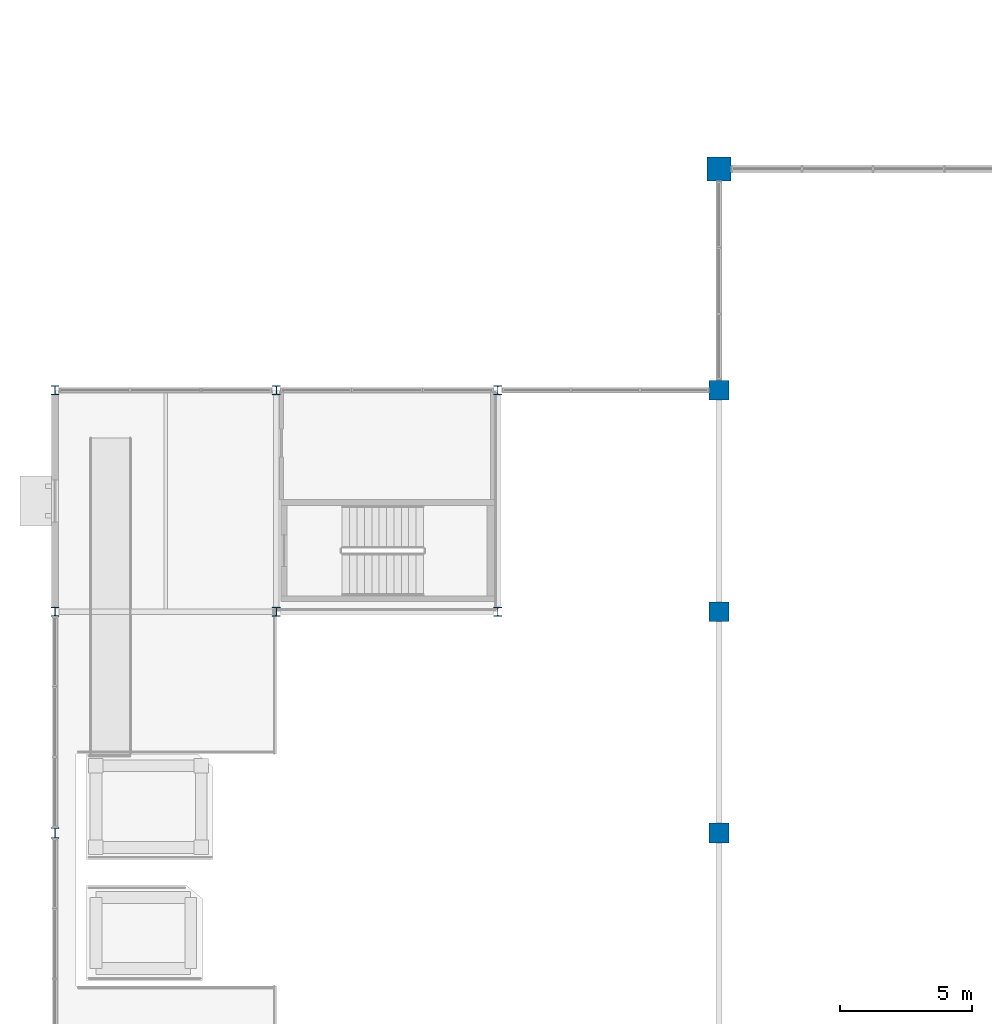
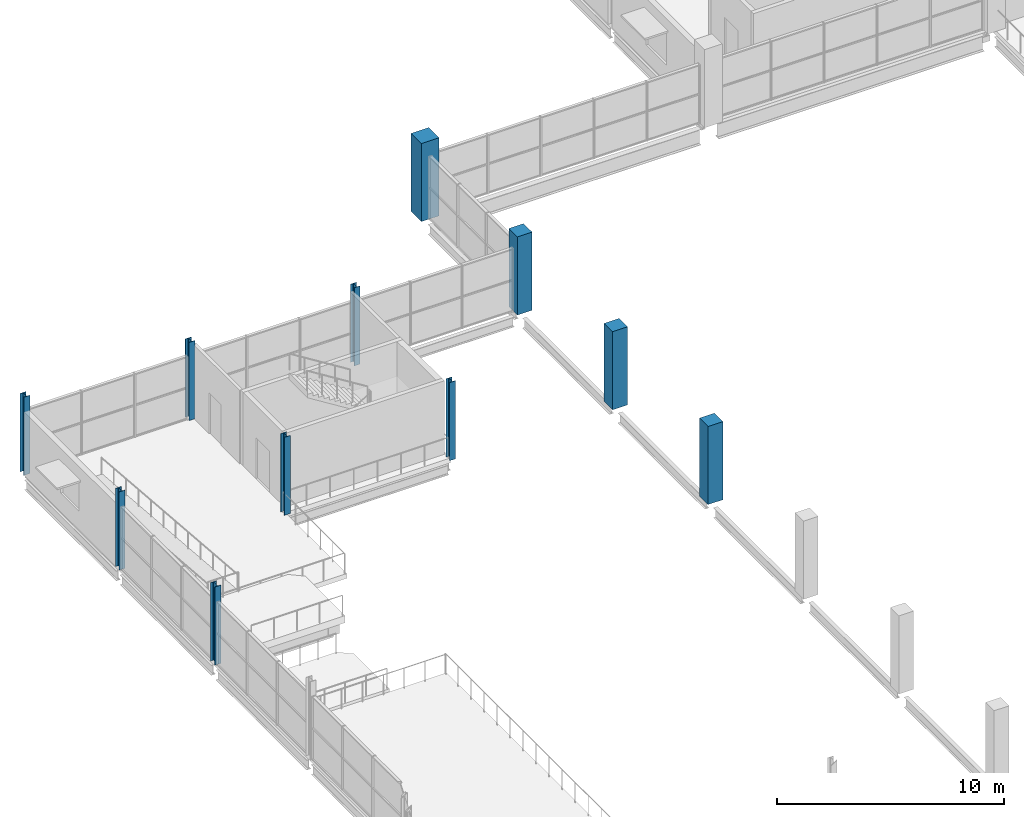
# One storey, part 4 of 93: 11 columns.
"""IFC4 building model written with IfcOpenShell, lengths in metres."""

from ifc_helpers import new_model, si_unit, direction, frame, origin, origin_2d, place, context, subcontext, project, spatial, rectangle, i_section, extrude, material, material_profile, profile_set, type_object, element, save


model = new_model("IFC4")

# Units and contexts
model_context = context("Model", 3, precision=1e-05, world=origin(), true_north=direction((0.0, 1.0)))
body_context = subcontext(model_context, "Body", "Model", "MODEL_VIEW")
ifc_project = project(units=[si_unit("LENGTHUNIT", "METRE"), si_unit("AREAUNIT", "SQUARE_METRE"), si_unit("VOLUMEUNIT", "CUBIC_METRE"), si_unit("PLANEANGLEUNIT", "RADIAN"), si_unit("MASSUNIT", "GRAM", prefix="KILO"), si_unit("THERMODYNAMICTEMPERATUREUNIT", "KELVIN")], contexts=[model_context])

# Site, building, storey
site_placement = place(None, origin())
site = spatial("IfcSite", under=ifc_project, at=site_placement, CompositionType="ELEMENT")
building_placement = place(site_placement, origin())
building = spatial("IfcBuilding", under=site, at=building_placement, Name="Nduvali Passage Aquatics Centre", CompositionType="ELEMENT")
storey_placement = place(building_placement, frame((0.0, 0.0, 9.0)))
storey = spatial("IfcBuildingStorey", under=building, at=storey_placement, Name="L02", CompositionType="ELEMENT", Elevation=9.0)

# Columns
ifc_material_1 = material(Name="Steel S355", Category="steel")
ifc_material_profile_1 = material_profile(ifc_material_1, i_section(OverallWidth=0.300048828125, OverallDepth=0.340087890625, WebThickness=0.011962890625, FlangeThickness=0.021484375, FilletRadius=0.027099609375, at=origin_2d()), Name="HEB 340")
ifc_profile_set_1 = profile_set([ifc_material_profile_1], Name="Steel S355")
column_type_1 = type_object("IfcColumnType", Name="STR-COL-HEB340", PredefinedType="COLUMN", material=ifc_profile_set_1)
for number, where, z_axis, x_axis, name in (
    (1, (8.39990234375, 75.60009765625, 0.0), (0.0, 0.0, 1.0), (1.0, 0.0, 0.0), "L02 Column C7 (8.4, 75.6)"),
    (2, (16.800048828125, 75.60009765625, 0.0), (0.0, 0.0, 1.0), (1.0, 0.0, 0.0), "L02 Column C7 (16.8, 75.6)"),
):
    element("IfcColumn", number, at=place(storey_placement, frame(where, z_axis=z_axis, x_axis=x_axis)), inside=storey, type_object=column_type_1, Name=name, PredefinedType="COLUMN", context=body_context, shape_type="SweptSolid", body=[
        extrude(i_section(OverallWidth=0.300048828125, OverallDepth=0.340087890625, WebThickness=0.011962890625, FlangeThickness=0.021484375, FilletRadius=0.027099609375, at=origin_2d()), origin(), (0.0, 0.0, 1.0), 4.199951171875),
    ])
ifc_material_profile_2 = material_profile(ifc_material_1, i_section(OverallWidth=0.300048828125, OverallDepth=0.340087890625, WebThickness=0.011962890625, FlangeThickness=0.021484375, FilletRadius=0.027099609375, at=origin_2d()), Name="HEB 340")
ifc_profile_set_2 = profile_set([ifc_material_profile_2], Name="Steel S355")
column_type_2 = type_object("IfcColumnType", Name="STR-COL-HEB340-EXT", PredefinedType="COLUMN", material=ifc_profile_set_2)
for number, where, z_axis, x_axis, name in (
    (3, (0.0, 75.60009765625, 0.0), (0.0, 0.0, 1.0), (1.0, 0.0, 0.0), "L02 Column C7E (0.0, 75.6)"),
    (4, (0.0, 84.0, 0.0), (0.0, 0.0, 1.0), (1.0, 0.0, 0.0), "L02 Column C7E (0.0, 84.0)"),
    (5, (8.39990234375, 84.0, 0.0), (0.0, 0.0, 1.0), (1.0, 0.0, 0.0), "L02 Column C7E (8.4, 84.0)"),
    (6, (16.800048828125, 84.0, 0.0), (0.0, 0.0, 1.0), (1.0, 0.0, 0.0), "L02 Column C7E (16.8, 84.0)"),
):
    element("IfcColumn", number, at=place(storey_placement, frame(where, z_axis=z_axis, x_axis=x_axis)), inside=storey, type_object=column_type_2, Name=name, PredefinedType="COLUMN", context=body_context, shape_type="SweptSolid", body=[
        extrude(i_section(OverallWidth=0.300048828125, OverallDepth=0.340087890625, WebThickness=0.011962890625, FlangeThickness=0.021484375, FilletRadius=0.027099609375, at=origin_2d()), origin(), (0.0, 0.0, 1.0), 4.199951171875),
    ])
ifc_material_profile_3 = material_profile(ifc_material_1, i_section(OverallWidth=0.300048828125, OverallDepth=0.39990234375, WebThickness=0.013427734375, FlangeThickness=0.02392578125, FilletRadius=0.027099609375, at=origin_2d()), Name="HEB 400")
ifc_profile_set_3 = profile_set([ifc_material_profile_3], Name="Steel S355")
column_type_3 = type_object("IfcColumnType", Name="STR-COL-HEB400-EXT", PredefinedType="COLUMN", material=ifc_profile_set_3)
column_1_placement = place(storey_placement, frame((0.0, 67.199951171875, 0.0), z_axis=(0.0, 0.0, 1.0), x_axis=(1.0, 0.0, 0.0)))
element("IfcColumn", 7, at=column_1_placement, inside=storey, type_object=column_type_3, Name="L02 Column C7AE (0.0, 67.2)", PredefinedType="COLUMN", context=body_context, shape_type="SweptSolid", body=[
    extrude(i_section(OverallWidth=0.300048828125, OverallDepth=0.39990234375, WebThickness=0.013427734375, FlangeThickness=0.02392578125, FilletRadius=0.027099609375, at=origin_2d()), origin(), (0.0, 0.0, 1.0), 4.199951171875),
])
ifc_material_2 = material(Name="Concrete C40/50", Category="concrete")
ifc_material_profile_4 = material_profile(ifc_material_2, rectangle(XDim=0.75, YDim=0.75, at=origin_2d()), Name="RC 750x750")
ifc_profile_set_4 = profile_set([ifc_material_profile_4], Name="Concrete C40/50")
column_type_4 = type_object("IfcColumnType", Name="STR-COL-RC750", PredefinedType="COLUMN", material=ifc_profile_set_4)
for number, where, z_axis, x_axis, name in (
    (8, (25.199951171875, 67.199951171875, 0.0), (0.0, 0.0, 1.0), (1.0, 0.0, 0.0), "L02 Column C2 (25.2, 67.2)"),
    (9, (25.199951171875, 75.60009765625, 0.0), (0.0, 0.0, 1.0), (1.0, 0.0, 0.0), "L02 Column C2 (25.2, 75.6)"),
    (10, (25.199951171875, 84.0, 0.0), (0.0, 0.0, 1.0), (1.0, 0.0, 0.0), "L02 Column C2 (25.2, 84.0)"),
):
    element("IfcColumn", number, at=place(storey_placement, frame(where, z_axis=z_axis, x_axis=x_axis)), inside=storey, type_object=column_type_4, Name=name, PredefinedType="COLUMN", context=body_context, shape_type="SweptSolid", body=[
        extrude(rectangle(XDim=0.75, YDim=0.75, at=origin_2d()), origin(), (0.0, 0.0, 1.0), 4.199951171875),
    ])
ifc_material_profile_5 = material_profile(ifc_material_2, rectangle(XDim=0.89990234375, YDim=0.89990234375, at=origin_2d()), Name="RC 900x900")
ifc_profile_set_5 = profile_set([ifc_material_profile_5], Name="Concrete C40/50")
column_type_5 = type_object("IfcColumnType", Name="STR-COL-RC900-EXT", PredefinedType="COLUMN", material=ifc_profile_set_5)
column_2_placement = place(storey_placement, frame((25.199951171875, 92.39990234375, 0.0), z_axis=(0.0, 0.0, 1.0), x_axis=(1.0, 0.0, 0.0)))
element("IfcColumn", 11, at=column_2_placement, inside=storey, type_object=column_type_5, Name="L02 Column C1E (25.2, 92.4)", PredefinedType="COLUMN", context=body_context, shape_type="SweptSolid", body=[
    extrude(rectangle(XDim=0.89990234375, YDim=0.89990234375, at=origin_2d()), origin(), (0.0, 0.0, 1.0), 4.199951171875),
])

save(model, "model.ifc")
